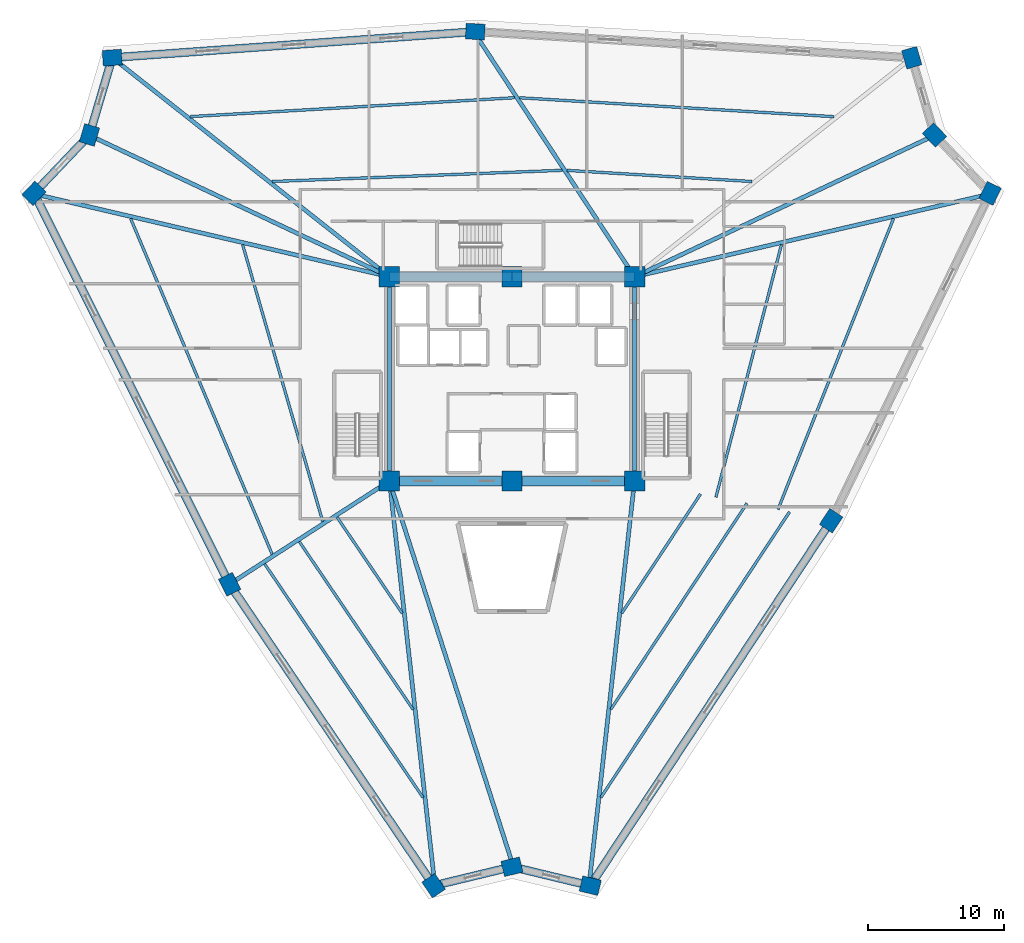
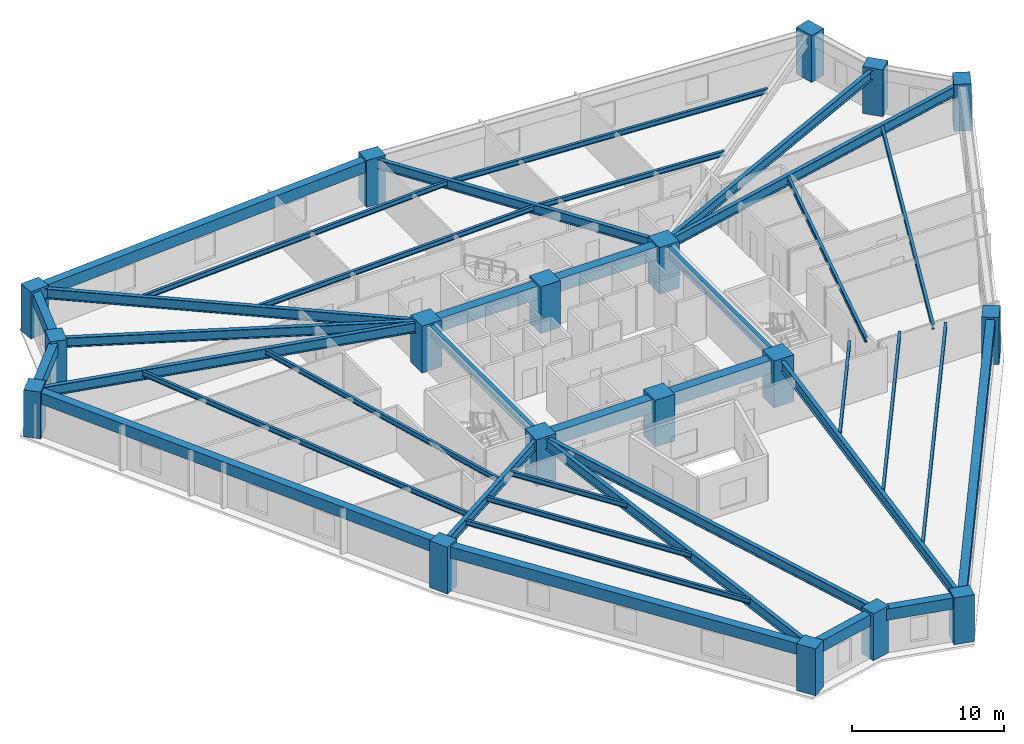
# One storey, part 1 of 8: 38 beams, 18 columns.
"""IFC4 building model written with IfcOpenShell, lengths in metres."""

from ifc_helpers import new_model, si_unit, direction, frame, origin, origin_2d, place, context, subcontext, project, spatial, rectangle, i_section, extrude, source, transform, mapped, material, material_profile, profile_set, type_object, element, save


model = new_model("IFC4")

# Units and contexts
model_context = context("Model", 3, precision=1e-05, world=origin(), true_north=direction((0.0, 1.0)))
body_context = subcontext(model_context, "Body", "Model", "MODEL_VIEW")
ifc_project = project(units=[si_unit("LENGTHUNIT", "METRE"), si_unit("AREAUNIT", "SQUARE_METRE"), si_unit("VOLUMEUNIT", "CUBIC_METRE"), si_unit("PLANEANGLEUNIT", "RADIAN"), si_unit("MASSUNIT", "GRAM", prefix="KILO")], contexts=[model_context])

# Site, building, storey
site_placement = place(None, origin())
site = spatial("IfcSite", under=ifc_project, at=site_placement, CompositionType="ELEMENT")
building_placement = place(site_placement, origin())
building = spatial("IfcBuilding", under=site, at=building_placement, Name="Liaohun Quay Tower", CompositionType="ELEMENT")
storey_placement = place(building_placement, frame((0.0, 0.0, 162.75)))
storey = spatial("IfcBuildingStorey", under=building, at=storey_placement, Name="L42", CompositionType="ELEMENT", Elevation=162.75)

# Columns
ifc_material_1 = material(Name="Concrete C60", Category="concrete")
ifc_material_profile_1 = material_profile(ifc_material_1, rectangle(XDim=1.5, YDim=1.5, at=origin_2d()), Name="RC1500x1500")
ifc_profile_set_1 = profile_set([ifc_material_profile_1], Name="Concrete C60")
column_type_1 = type_object("IfcColumnType", Name="COL-CC-Z2", PredefinedType="COLUMN", material=ifc_profile_set_1)
shared_shape_1 = source(origin(), body_context, "Body", "SweptSolid", [
    extrude(rectangle(XDim=1.5, YDim=1.5, at=origin_2d()), origin(), (0.0, 0.0, 1.0), 3.75),
])
for number, where, z_axis, x_axis, name in (
    (1, (51.0, 46.5, 0.0), (0.0, 0.0, 1.0), (1.0, 0.0, 0.0), "L42 Core Column CC1"),
    (2, (60.0, 46.5, 0.0), (0.0, 0.0, 1.0), (1.0, 0.0, 0.0), "L42 Core Column CC2"),
    (3, (69.0, 46.5, 0.0), (0.0, 0.0, 1.0), (1.0, 0.0, 0.0), "L42 Core Column CC3"),
    (4, (69.0, 61.5, 0.0), (0.0, 0.0, 1.0), (1.0, 0.0, 0.0), "L42 Core Column CC4"),
    (5, (60.0, 61.5, 0.0), (0.0, 0.0, 1.0), (1.0, 0.0, 0.0), "L42 Core Column CC5"),
    (6, (51.0, 61.5, 0.0), (0.0, 0.0, 1.0), (1.0, 0.0, 0.0), "L42 Core Column CC6"),
):
    element("IfcColumn", number, at=place(storey_placement, frame(where, z_axis=z_axis, x_axis=x_axis)), inside=storey, type_object=column_type_1, Name=name, PredefinedType="COLUMN", context=body_context, shape_type="MappedRepresentation", body=[
        mapped(shared_shape_1, transform((0.0, 0.0, 0.0), x_axis=(1.0, 0.0, 0.0), y_axis=(0.0, 1.0, 0.0), z_axis=(0.0, 0.0, 1.0), scale=1.0)),
    ])
ifc_material_profile_2 = material_profile(ifc_material_1, rectangle(XDim=1.39990234375, YDim=1.14990234375, at=origin_2d()), Name="RC1400x1150")
ifc_profile_set_2 = profile_set([ifc_material_profile_2], Name="Concrete C60")
column_type_2 = type_object("IfcColumnType", Name="COL-PIER-Z2", PredefinedType="COLUMN", material=ifc_profile_set_2)
shared_shape_2 = source(origin(), body_context, "Body", "SweptSolid", [
    extrude(rectangle(XDim=1.39990234375, YDim=1.14990234375, at=origin_2d()), origin(), (0.0, 0.0, 1.0), 3.75),
])
for number, where, z_axis, x_axis, name in (
    (7, (54.2451171875, 16.781982421875, 0.0), (0.0, 0.0, 1.0), (-0.560638994563, 0.828060334622, 0.0), "L42 Perimeter Pier PC01"),
    (8, (39.260009765625, 38.9130859375, 0.0), (0.0, 0.0, 1.0), (-0.447290848419, 0.89438856037, 0.0), "L42 Perimeter Pier PC02"),
    (9, (24.89501953125, 67.631103515625, 0.0), (0.0, 0.0, 1.0), (0.68936671806, 0.724412539946, 0.0), "L42 Perimeter Pier PC03"),
    (10, (28.970947265625, 71.9150390625, 0.0), (0.0, 0.0, 1.0), (0.282676303383, 0.959215360337, 0.0), "L42 Perimeter Pier PC04"),
    (11, (30.64501953125, 77.592041015625, 0.0), (0.0, 0.0, 1.0), (0.997440782931, 0.071497444333, 0.0), "L42 Perimeter Pier PC05"),
    (12, (57.304931640625, 79.5048828125, 0.0), (0.0, 0.0, 1.0), (-0.998208638344, 0.059829042574, 0.0), "L42 Perimeter Pier PC06"),
    (13, (89.35693359375, 77.5849609375, 0.0), (0.0, 0.0, 1.0), (-0.282676303383, 0.959215360337, 0.0), "L42 Perimeter Pier PC07"),
    (14, (91.029052734375, 71.9150390625, 0.0), (0.0, 0.0, 1.0), (-0.68936671806, 0.724412539946, 0.0), "L42 Perimeter Pier PC08"),
    (15, (95.110107421875, 67.6259765625, 0.0), (0.0, 0.0, 1.0), (0.436801788368, 0.899557778955, 0.0), "L42 Perimeter Pier PC09"),
    (16, (83.43603515625, 43.58203125, 0.0), (0.0, 0.0, 1.0), (0.550917789925, 0.834559517796, 0.0), "L42 Perimeter Pier PC10"),
    (17, (65.7470703125, 16.782958984375, 0.0), (0.0, 0.0, 1.0), (-0.972043021443, 0.234802820391, 0.0), "L42 Perimeter Pier PC11"),
    (18, (60.0, 18.1708984375, 0.0), (0.0, 0.0, 1.0), (0.972043021443, 0.234802820391, 0.0), "L42 Perimeter Pier PC12"),
):
    element("IfcColumn", number, at=place(storey_placement, frame(where, z_axis=z_axis, x_axis=x_axis)), inside=storey, type_object=column_type_2, Name=name, PredefinedType="COLUMN", context=body_context, shape_type="MappedRepresentation", body=[
        mapped(shared_shape_2, transform((0.0, 0.0, 0.0), x_axis=(1.0, 0.0, 0.0), y_axis=(0.0, 1.0, 0.0), z_axis=(0.0, 0.0, 1.0), scale=1.0)),
    ])

# Beams
ifc_material_profile_3 = material_profile(ifc_material_1, rectangle(XDim=0.699951171875, YDim=1.050048828125, at=origin_2d()), Name="RC700x1050")
ifc_profile_set_3 = profile_set([ifc_material_profile_3], Name="Concrete C60")
beam_type_1 = type_object("IfcBeamType", Name="BM-CPL-1", PredefinedType="LINTEL", material=ifc_profile_set_3)
shared_shape_3 = source(origin(), body_context, "Body", "SweptSolid", [
    extrude(rectangle(XDim=0.699951171875, YDim=1.050048828125, at=origin_2d()), origin(), (0.0, 0.0, 1.0), 9.0),
])
for number, where, z_axis, x_axis, name in (
    (19, (51.0, 46.5, 3.044921875), (1.0, 0.0, 0.0), (0.0, 1.0, 0.0), "L42 Core Coupling/Ring Beam CC1-CC2"),
    (20, (60.0, 46.5, 3.044921875), (1.0, 0.0, 0.0), (0.0, 1.0, 0.0), "L42 Core Coupling/Ring Beam CC2-CC3"),
    (21, (69.0, 61.5, 3.044921875), (-1.0, 0.0, 0.0), (0.0, -1.0, 0.0), "L42 Core Coupling/Ring Beam CC4-CC5"),
    (22, (60.0, 61.5, 3.044921875), (-1.0, 0.0, 0.0), (0.0, -1.0, 0.0), "L42 Core Coupling/Ring Beam CC5-CC6"),
):
    element("IfcBeam", number, at=place(storey_placement, frame(where, z_axis=z_axis, x_axis=x_axis)), inside=storey, type_object=beam_type_1, Name=name, PredefinedType="LINTEL", context=body_context, shape_type="MappedRepresentation", body=[
        mapped(shared_shape_3, transform((0.0, 0.0, 0.0), x_axis=(1.0, 0.0, 0.0), y_axis=(0.0, 1.0, 0.0), z_axis=(0.0, 0.0, 1.0), scale=1.0)),
    ])
ifc_material_2 = material(Name="Steel Q355D", Category="steel")
ifc_material_profile_4 = material_profile(ifc_material_2, i_section(OverallWidth=0.300048828125, OverallDepth=0.800048828125, WebThickness=0.013916015625, FlangeThickness=0.02587890625, at=origin_2d()), Name="HN800x300x14x26")
ifc_profile_set_4 = profile_set([ifc_material_profile_4], Name="Steel Q355D")
beam_type_2 = type_object("IfcBeamType", Name="BM-RAD-M1", PredefinedType="BEAM", material=ifc_profile_set_4)
shared_shape_4 = source(origin(), body_context, "Body", "SweptSolid", [
    extrude(i_section(OverallWidth=0.300048828125, OverallDepth=0.800048828125, WebThickness=0.013916015625, FlangeThickness=0.02587890625, at=origin_2d()), origin(), (0.0, 0.0, 1.0), 15.0),
])
for number, where, z_axis, x_axis, name in (
    (23, (69.0, 46.5, 3.169921875), (0.0, 1.0, 0.0), (-1.0, 0.0, 0.0), "L42 Core Coupling/Ring Beam CC3-CC4"),
    (24, (51.0, 61.5, 3.169921875), (0.0, -1.0, 0.0), (1.0, 0.0, 0.0), "L42 Core Coupling/Ring Beam CC6-CC1"),
):
    element("IfcBeam", number, at=place(storey_placement, frame(where, z_axis=z_axis, x_axis=x_axis)), inside=storey, type_object=beam_type_2, Name=name, PredefinedType="BEAM", context=body_context, shape_type="MappedRepresentation", body=[
        mapped(shared_shape_4, transform((0.0, 0.0, 0.0), x_axis=(1.0, 0.0, 0.0), y_axis=(0.0, 1.0, 0.0), z_axis=(0.0, 0.0, 1.0), scale=1.0)),
    ])
ifc_material_3 = material(Name="Precast concrete C55", Category="concrete")
ifc_material_profile_5 = material_profile(ifc_material_3, rectangle(XDim=0.60009765625, YDim=0.89990234375, at=origin_2d()), Name="RC600x900")
ifc_profile_set_5 = profile_set([ifc_material_profile_5], Name="Precast concrete C55")
beam_type_3 = type_object("IfcBeamType", Name="BM-SPD-Z2", PredefinedType="SPANDREL", material=ifc_profile_set_5)
shared_shape_5 = source(origin(), body_context, "Body", "SweptSolid", [
    extrude(rectangle(XDim=0.60009765625, YDim=0.89990234375, at=origin_2d()), origin(), (0.0, 0.0, 1.0), 26.72705078125),
])
beam_1_placement = place(storey_placement, frame((54.2451171875, 16.781982421875, 3.1201171875), z_axis=(-0.560670392658, 0.828039075646, 0.0), x_axis=(-0.828039075646, -0.560670392658, 0.0)))
element("IfcBeam", 25, at=beam_1_placement, inside=storey, type_object=beam_type_3, Name="L42 Precast Spandrel Beam PC01-PC02", PredefinedType="SPANDREL", context=body_context, shape_type="MappedRepresentation", body=[
    mapped(shared_shape_5, transform((0.0, 0.0, 0.0), x_axis=(1.0, 0.0, 0.0), y_axis=(0.0, 1.0, 0.0), z_axis=(0.0, 0.0, 1.0), scale=1.0)),
])
shared_shape_6 = source(origin(), body_context, "Body", "SweptSolid", [
    extrude(rectangle(XDim=0.60009765625, YDim=0.89990234375, at=origin_2d()), origin(), (0.0, 0.0, 1.0), 32.1103515625),
])
beam_2_placement = place(storey_placement, frame((39.260009765625, 38.9130859375, 3.1201171875), z_axis=(-0.447362611322, 0.894352667571, 0.0), x_axis=(-0.894352667571, -0.447362611322, 0.0)))
element("IfcBeam", 26, at=beam_2_placement, inside=storey, type_object=beam_type_3, Name="L42 Precast Spandrel Beam PC02-PC03", PredefinedType="SPANDREL", context=body_context, shape_type="MappedRepresentation", body=[
    mapped(shared_shape_6, transform((0.0, 0.0, 0.0), x_axis=(1.0, 0.0, 0.0), y_axis=(0.0, 1.0, 0.0), z_axis=(0.0, 0.0, 1.0), scale=1.0)),
])
shared_shape_7 = source(origin(), body_context, "Body", "SweptSolid", [
    extrude(rectangle(XDim=0.60009765625, YDim=0.89990234375, at=origin_2d()), origin(), (0.0, 0.0, 1.0), 5.9130859375),
])
beam_3_placement = place(storey_placement, frame((24.89501953125, 67.631103515625, 3.1201171875), z_axis=(0.689299405593, 0.724476589994, 0.0), x_axis=(-0.724476589994, 0.689299405593, 0.0)))
element("IfcBeam", 27, at=beam_3_placement, inside=storey, type_object=beam_type_3, Name="L42 Precast Spandrel Beam PC03-PC04", PredefinedType="SPANDREL", context=body_context, shape_type="MappedRepresentation", body=[
    mapped(shared_shape_7, transform((0.0, 0.0, 0.0), x_axis=(1.0, 0.0, 0.0), y_axis=(0.0, 1.0, 0.0), z_axis=(0.0, 0.0, 1.0), scale=1.0)),
])
shared_shape_8 = source(origin(), body_context, "Body", "SweptSolid", [
    extrude(rectangle(XDim=0.60009765625, YDim=0.89990234375, at=origin_2d()), origin(), (0.0, 0.0, 1.0), 5.918701171875),
])
beam_4_placement = place(storey_placement, frame((28.970947265625, 71.9150390625, 3.1201171875), z_axis=(0.28284515591, 0.959165584129, 0.0), x_axis=(-0.959165584129, 0.28284515591, 0.0)))
element("IfcBeam", 28, at=beam_4_placement, inside=storey, type_object=beam_type_3, Name="L42 Precast Spandrel Beam PC04-PC05", PredefinedType="SPANDREL", context=body_context, shape_type="MappedRepresentation", body=[
    mapped(shared_shape_8, transform((0.0, 0.0, 0.0), x_axis=(1.0, 0.0, 0.0), y_axis=(0.0, 1.0, 0.0), z_axis=(0.0, 0.0, 1.0), scale=1.0)),
])
shared_shape_9 = source(origin(), body_context, "Body", "SweptSolid", [
    extrude(rectangle(XDim=0.60009765625, YDim=0.89990234375, at=origin_2d()), origin(), (0.0, 0.0, 1.0), 26.728515625),
])
beam_5_placement = place(storey_placement, frame((30.64501953125, 77.592041015625, 3.1201171875), z_axis=(0.997435883179, 0.071565766579, 0.0), x_axis=(-0.071565766579, 0.997435883179, 0.0)))
element("IfcBeam", 29, at=beam_5_placement, inside=storey, type_object=beam_type_3, Name="L42 Precast Spandrel Beam PC05-PC06", PredefinedType="SPANDREL", context=body_context, shape_type="MappedRepresentation", body=[
    mapped(shared_shape_9, transform((0.0, 0.0, 0.0), x_axis=(1.0, 0.0, 0.0), y_axis=(0.0, 1.0, 0.0), z_axis=(0.0, 0.0, 1.0), scale=1.0)),
])
shared_shape_10 = source(origin(), body_context, "Body", "SweptSolid", [
    extrude(rectangle(XDim=0.60009765625, YDim=0.89990234375, at=origin_2d()), origin(), (0.0, 0.0, 1.0), 32.110595703125),
])
beam_6_placement = place(storey_placement, frame((83.43603515625, 43.58203125, 3.1201171875), z_axis=(-0.550876420846, -0.834586825295, 0.0), x_axis=(0.834586825295, -0.550876420846, 0.0)))
element("IfcBeam", 30, at=beam_6_placement, inside=storey, type_object=beam_type_3, Name="L42 Precast Spandrel Beam PC10-PC11", PredefinedType="SPANDREL", context=body_context, shape_type="MappedRepresentation", body=[
    mapped(shared_shape_10, transform((0.0, 0.0, 0.0), x_axis=(1.0, 0.0, 0.0), y_axis=(0.0, 1.0, 0.0), z_axis=(0.0, 0.0, 1.0), scale=1.0)),
])
shared_shape_11 = source(origin(), body_context, "Body", "SweptSolid", [
    extrude(rectangle(XDim=0.60009765625, YDim=0.89990234375, at=origin_2d()), origin(), (0.0, 0.0, 1.0), 5.912353515625),
])
beam_7_placement = place(storey_placement, frame((65.7470703125, 16.782958984375, 3.1201171875), z_axis=(-0.972054595357, 0.234754901215, 0.0), x_axis=(-0.234754901215, -0.972054595357, 0.0)))
element("IfcBeam", 31, at=beam_7_placement, inside=storey, type_object=beam_type_3, Name="L42 Precast Spandrel Beam PC11-PC12", PredefinedType="SPANDREL", context=body_context, shape_type="MappedRepresentation", body=[
    mapped(shared_shape_11, transform((0.0, 0.0, 0.0), x_axis=(1.0, 0.0, 0.0), y_axis=(0.0, 1.0, 0.0), z_axis=(0.0, 0.0, 1.0), scale=1.0)),
])
shared_shape_12 = source(origin(), body_context, "Body", "SweptSolid", [
    extrude(rectangle(XDim=0.60009765625, YDim=0.89990234375, at=origin_2d()), origin(), (0.0, 0.0, 1.0), 5.920166015625),
])
beam_8_placement = place(storey_placement, frame((60.0, 18.1708984375, 3.1201171875), z_axis=(-0.972089668201, -0.234609626777, 0.0), x_axis=(0.234609626777, -0.972089668201, 0.0)))
element("IfcBeam", 32, at=beam_8_placement, inside=storey, type_object=beam_type_3, Name="L42 Precast Spandrel Beam PC12-PC01", PredefinedType="SPANDREL", context=body_context, shape_type="MappedRepresentation", body=[
    mapped(shared_shape_12, transform((0.0, 0.0, 0.0), x_axis=(1.0, 0.0, 0.0), y_axis=(0.0, 1.0, 0.0), z_axis=(0.0, 0.0, 1.0), scale=1.0)),
])
shared_shape_13 = source(origin(), body_context, "Body", "SweptSolid", [
    extrude(i_section(OverallWidth=0.300048828125, OverallDepth=0.800048828125, WebThickness=0.013916015625, FlangeThickness=0.02587890625, at=origin_2d()), origin(), (0.0, 0.0, 1.0), 29.562744140625),
])
beam_9_placement = place(storey_placement, frame((51.0, 46.5, 3.169921875), z_axis=(0.111628813445, -0.993749972583, 0.0), x_axis=(0.993749972583, 0.111628813445, 0.0)))
element("IfcBeam", 33, at=beam_9_placement, inside=storey, type_object=beam_type_2, Name="L42 Radial Primary Girder CC1-PC01", PredefinedType="BEAM", context=body_context, shape_type="MappedRepresentation", body=[
    mapped(shared_shape_13, transform((0.0, 0.0, 0.0), x_axis=(1.0, 0.0, 0.0), y_axis=(0.0, 1.0, 0.0), z_axis=(0.0, 0.0, 1.0), scale=1.0)),
])
ifc_material_profile_6 = material_profile(ifc_material_2, i_section(OverallWidth=0.300048828125, OverallDepth=0.75, WebThickness=0.013916015625, FlangeThickness=0.02587890625, at=origin_2d()), Name="HN750x300x14x26")
ifc_profile_set_6 = profile_set([ifc_material_profile_6], Name="Steel Q355D")
beam_type_4 = type_object("IfcBeamType", Name="BM-RAD-M2", PredefinedType="BEAM", material=ifc_profile_set_6)
shared_shape_14 = source(origin(), body_context, "Body", "SweptSolid", [
    extrude(i_section(OverallWidth=0.300048828125, OverallDepth=0.75, WebThickness=0.013916015625, FlangeThickness=0.02587890625, at=origin_2d()), origin(), (0.0, 0.0, 1.0), 13.75537109375),
])
beam_10_placement = place(storey_placement, frame((51.0, 46.5, 3.195068359375), z_axis=(-0.840396787699, -0.541971622158, 0.0), x_axis=(0.541971622158, -0.840396787699, 0.0)))
element("IfcBeam", 34, at=beam_10_placement, inside=storey, type_object=beam_type_4, Name="L42 Radial Primary Girder CC1-PC02", PredefinedType="BEAM", context=body_context, shape_type="MappedRepresentation", body=[
    mapped(shared_shape_14, transform((0.0, 0.0, 0.0), x_axis=(1.0, 0.0, 0.0), y_axis=(0.0, 1.0, 0.0), z_axis=(0.0, 0.0, 1.0), scale=1.0)),
])
shared_shape_15 = source(origin(), body_context, "Body", "SweptSolid", [
    extrude(i_section(OverallWidth=0.300048828125, OverallDepth=0.800048828125, WebThickness=0.013916015625, FlangeThickness=0.02587890625, at=origin_2d()), origin(), (0.0, 0.0, 1.0), 26.47265625),
])
beam_11_placement = place(storey_placement, frame((51.0, 61.5, 3.169921875), z_axis=(-0.973905862646, 0.226952353379, 0.0), x_axis=(-0.226952353379, -0.973905862646, 0.0)))
element("IfcBeam", 35, at=beam_11_placement, inside=storey, type_object=beam_type_2, Name="L42 Radial Primary Girder CC6-PC03", PredefinedType="BEAM", context=body_context, shape_type="MappedRepresentation", body=[
    mapped(shared_shape_15, transform((0.0, 0.0, 0.0), x_axis=(1.0, 0.0, 0.0), y_axis=(0.0, 1.0, 0.0), z_axis=(0.0, 0.0, 1.0), scale=1.0)),
])
shared_shape_16 = source(origin(), body_context, "Body", "SweptSolid", [
    extrude(i_section(OverallWidth=0.300048828125, OverallDepth=0.75, WebThickness=0.013916015625, FlangeThickness=0.02587890625, at=origin_2d()), origin(), (0.0, 0.0, 1.0), 24.041015625),
])
for number, where, z_axis, x_axis, name in (
    (36, (51.0, 61.5, 3.195068359375), (-0.904537729086, 0.426393593597, 0.0), (-0.426393593597, -0.904537729086, 0.0), "L42 Radial Primary Girder CC6-PC04"),
    (37, (69.0, 61.5, 3.195068359375), (0.904537729086, 0.426393593597, 0.0), (-0.426393593597, 0.904537729086, 0.0), "L42 Radial Primary Girder CC4-PC08"),
):
    element("IfcBeam", number, at=place(storey_placement, frame(where, z_axis=z_axis, x_axis=x_axis)), inside=storey, type_object=beam_type_4, Name=name, PredefinedType="BEAM", context=body_context, shape_type="MappedRepresentation", body=[
        mapped(shared_shape_16, transform((0.0, 0.0, 0.0), x_axis=(1.0, 0.0, 0.0), y_axis=(0.0, 1.0, 0.0), z_axis=(0.0, 0.0, 1.0), scale=1.0)),
    ])
shared_shape_17 = source(origin(), body_context, "Body", "SweptSolid", [
    extrude(i_section(OverallWidth=0.300048828125, OverallDepth=0.800048828125, WebThickness=0.013916015625, FlangeThickness=0.02587890625, at=origin_2d()), origin(), (0.0, 0.0, 1.0), 25.603271484375),
])
beam_12_placement = place(storey_placement, frame((51.0, 61.5, 3.169921875), z_axis=(-0.784542884299, 0.620074562207, 0.0), x_axis=(-0.620074562207, -0.784542884299, 0.0)))
element("IfcBeam", 38, at=beam_12_placement, inside=storey, type_object=beam_type_2, Name="L42 Radial Primary Girder CC6-PC05", PredefinedType="BEAM", context=body_context, shape_type="MappedRepresentation", body=[
    mapped(shared_shape_17, transform((0.0, 0.0, 0.0), x_axis=(1.0, 0.0, 0.0), y_axis=(0.0, 1.0, 0.0), z_axis=(0.0, 0.0, 1.0), scale=1.0)),
])
shared_shape_18 = source(origin(), body_context, "Body", "SweptSolid", [
    extrude(i_section(OverallWidth=0.300048828125, OverallDepth=0.75, WebThickness=0.013916015625, FlangeThickness=0.02587890625, at=origin_2d()), origin(), (0.0, 0.0, 1.0), 21.270751953125),
])
beam_13_placement = place(storey_placement, frame((69.0, 61.5, 3.195068359375), z_axis=(-0.548683768494, 0.83602997685, 0.0), x_axis=(-0.83602997685, -0.548683768494, 0.0)))
element("IfcBeam", 39, at=beam_13_placement, inside=storey, type_object=beam_type_4, Name="L42 Radial Primary Girder CC4-PC06", PredefinedType="BEAM", context=body_context, shape_type="MappedRepresentation", body=[
    mapped(shared_shape_18, transform((0.0, 0.0, 0.0), x_axis=(1.0, 0.0, 0.0), y_axis=(0.0, 1.0, 0.0), z_axis=(0.0, 0.0, 1.0), scale=1.0)),
])
shared_shape_19 = source(origin(), body_context, "Body", "SweptSolid", [
    extrude(i_section(OverallWidth=0.300048828125, OverallDepth=0.800048828125, WebThickness=0.013916015625, FlangeThickness=0.02587890625, at=origin_2d()), origin(), (0.0, 0.0, 1.0), 26.4765625),
])
beam_14_placement = place(storey_placement, frame((69.0, 61.5, 3.169921875), z_axis=(0.973958610752, 0.226725879735, 0.0), x_axis=(-0.226725879735, 0.973958610752, 0.0)))
element("IfcBeam", 40, at=beam_14_placement, inside=storey, type_object=beam_type_2, Name="L42 Radial Primary Girder CC4-PC09", PredefinedType="BEAM", context=body_context, shape_type="MappedRepresentation", body=[
    mapped(shared_shape_19, transform((0.0, 0.0, 0.0), x_axis=(1.0, 0.0, 0.0), y_axis=(0.0, 1.0, 0.0), z_axis=(0.0, 0.0, 1.0), scale=1.0)),
])
shared_shape_20 = source(origin(), body_context, "Body", "SweptSolid", [
    extrude(i_section(OverallWidth=0.300048828125, OverallDepth=0.800048828125, WebThickness=0.013916015625, FlangeThickness=0.02587890625, at=origin_2d()), origin(), (0.0, 0.0, 1.0), 29.5625),
])
beam_15_placement = place(storey_placement, frame((69.0, 46.5, 3.169921875), z_axis=(-0.111860830301, -0.993723882497, 0.0), x_axis=(0.993723882497, -0.111860830301, 0.0)))
element("IfcBeam", 41, at=beam_15_placement, inside=storey, type_object=beam_type_2, Name="L42 Radial Primary Girder CC3-PC11", PredefinedType="BEAM", context=body_context, shape_type="MappedRepresentation", body=[
    mapped(shared_shape_20, transform((0.0, 0.0, 0.0), x_axis=(1.0, 0.0, 0.0), y_axis=(0.0, 1.0, 0.0), z_axis=(0.0, 0.0, 1.0), scale=1.0)),
])
shared_shape_21 = source(origin(), body_context, "Body", "SweptSolid", [
    extrude(i_section(OverallWidth=0.300048828125, OverallDepth=0.75, WebThickness=0.013916015625, FlangeThickness=0.02587890625, at=origin_2d()), origin(), (0.0, 0.0, 1.0), 29.412841796875),
])
beam_16_placement = place(storey_placement, frame((51.0, 46.5, 3.195068359375), z_axis=(0.305989834894, -0.952034779271, 0.0), x_axis=(0.952034779271, 0.305989834894, 0.0)))
element("IfcBeam", 42, at=beam_16_placement, inside=storey, type_object=beam_type_4, Name="L42 Radial Primary Girder CC1-PC12", PredefinedType="BEAM", context=body_context, shape_type="MappedRepresentation", body=[
    mapped(shared_shape_21, transform((0.0, 0.0, 0.0), x_axis=(1.0, 0.0, 0.0), y_axis=(0.0, 1.0, 0.0), z_axis=(0.0, 0.0, 1.0), scale=1.0)),
])
ifc_material_profile_7 = material_profile(ifc_material_2, i_section(OverallWidth=0.199951171875, OverallDepth=0.39990234375, WebThickness=0.008056640625, FlangeThickness=0.012939453125, at=origin_2d()), Name="HN400x200x8x13")
ifc_profile_set_7 = profile_set([ifc_material_profile_7], Name="Steel Q355D")
beam_type_5 = type_object("IfcBeamType", Name="BM-SEC-J2", PredefinedType="JOIST", material=ifc_profile_set_7)
shared_shape_22 = source(origin(), body_context, "Body", "SweptSolid", [
    extrude(i_section(OverallWidth=0.199951171875, OverallDepth=0.39990234375, WebThickness=0.008056640625, FlangeThickness=0.012939453125, at=origin_2d()), origin(), (0.0, 0.0, 1.0), 8.5322265625),
])
beam_17_placement = place(storey_placement, frame((51.94091796875, 36.778076171875, 3.3701171875), z_axis=(-0.561029712633, 0.827795664124, 0.0), x_axis=(-0.827795664124, -0.561029712633, 0.0)))
element("IfcBeam", 43, at=beam_17_placement, inside=storey, type_object=beam_type_5, Name="L42 Wing Secondary Floor Joist SJ-01", PredefinedType="JOIST", context=body_context, shape_type="MappedRepresentation", body=[
    mapped(shared_shape_22, transform((0.0, 0.0, 0.0), x_axis=(1.0, 0.0, 0.0), y_axis=(0.0, 1.0, 0.0), z_axis=(0.0, 0.0, 1.0), scale=1.0)),
])
shared_shape_23 = source(origin(), body_context, "Body", "SweptSolid", [
    extrude(i_section(OverallWidth=0.199951171875, OverallDepth=0.39990234375, WebThickness=0.008056640625, FlangeThickness=0.012939453125, at=origin_2d()), origin(), (0.0, 0.0, 1.0), 14.888671875),
])
beam_18_placement = place(storey_placement, frame((52.73291015625, 29.72802734375, 3.3701171875), z_axis=(-0.56110156038, 0.827746965527, 0.0), x_axis=(-0.827746965527, -0.56110156038, 0.0)))
element("IfcBeam", 44, at=beam_18_placement, inside=storey, type_object=beam_type_5, Name="L42 Wing Secondary Floor Joist SJ-02", PredefinedType="JOIST", context=body_context, shape_type="MappedRepresentation", body=[
    mapped(shared_shape_23, transform((0.0, 0.0, 0.0), x_axis=(1.0, 0.0, 0.0), y_axis=(0.0, 1.0, 0.0), z_axis=(0.0, 0.0, 1.0), scale=1.0)),
])
shared_shape_24 = source(origin(), body_context, "Body", "SweptSolid", [
    extrude(i_section(OverallWidth=0.199951171875, OverallDepth=0.39990234375, WebThickness=0.008056640625, FlangeThickness=0.012939453125, at=origin_2d()), origin(), (0.0, 0.0, 1.0), 20.71533203125),
])
beam_19_placement = place(storey_placement, frame((53.458984375, 23.264892578125, 3.3701171875), z_axis=(-0.561086043674, 0.827757483563, 0.0), x_axis=(-0.827757483563, -0.561086043674, 0.0)))
element("IfcBeam", 45, at=beam_19_placement, inside=storey, type_object=beam_type_5, Name="L42 Wing Secondary Floor Joist SJ-03", PredefinedType="JOIST", context=body_context, shape_type="MappedRepresentation", body=[
    mapped(shared_shape_24, transform((0.0, 0.0, 0.0), x_axis=(1.0, 0.0, 0.0), y_axis=(0.0, 1.0, 0.0), z_axis=(0.0, 0.0, 1.0), scale=1.0)),
])
shared_shape_25 = source(origin(), body_context, "Body", "SweptSolid", [
    extrude(i_section(OverallWidth=0.199951171875, OverallDepth=0.39990234375, WebThickness=0.008056640625, FlangeThickness=0.012939453125, at=origin_2d()), origin(), (0.0, 0.0, 1.0), 21.17236328125),
])
beam_20_placement = place(storey_placement, frame((46.10107421875, 43.51904296875, 3.3701171875), z_axis=(-0.277818957715, 0.960633450768, 0.0), x_axis=(-0.960633450768, -0.277818957715, 0.0)))
element("IfcBeam", 46, at=beam_20_placement, inside=storey, type_object=beam_type_5, Name="L42 Wing Secondary Floor Joist SJ-04", PredefinedType="JOIST", context=body_context, shape_type="MappedRepresentation", body=[
    mapped(shared_shape_25, transform((0.0, 0.0, 0.0), x_axis=(1.0, 0.0, 0.0), y_axis=(0.0, 1.0, 0.0), z_axis=(0.0, 0.0, 1.0), scale=1.0)),
])
shared_shape_26 = source(origin(), body_context, "Body", "SweptSolid", [
    extrude(i_section(OverallWidth=0.199951171875, OverallDepth=0.39990234375, WebThickness=0.008056640625, FlangeThickness=0.012939453125, at=origin_2d()), origin(), (0.0, 0.0, 1.0), 26.752197265625),
])
beam_21_placement = place(storey_placement, frame((42.385986328125, 41.1240234375, 3.3701171875), z_axis=(-0.388493501062, 0.921451463525, 0.0), x_axis=(-0.921451463525, -0.388493501062, 0.0)))
element("IfcBeam", 47, at=beam_21_placement, inside=storey, type_object=beam_type_5, Name="L42 Wing Secondary Floor Joist SJ-05", PredefinedType="JOIST", context=body_context, shape_type="MappedRepresentation", body=[
    mapped(shared_shape_26, transform((0.0, 0.0, 0.0), x_axis=(1.0, 0.0, 0.0), y_axis=(0.0, 1.0, 0.0), z_axis=(0.0, 0.0, 1.0), scale=1.0)),
])
shared_shape_27 = source(origin(), body_context, "Body", "SweptSolid", [
    extrude(i_section(OverallWidth=0.199951171875, OverallDepth=0.39990234375, WebThickness=0.008056640625, FlangeThickness=0.012939453125, at=origin_2d()), origin(), (0.0, 0.0, 1.0), 21.313720703125),
])
beam_22_placement = place(storey_placement, frame((42.39208984375, 68.493896484375, 3.3701171875), z_axis=(0.9992520098, 0.038670672487, 0.0), x_axis=(-0.038670672487, 0.9992520098, 0.0)))
element("IfcBeam", 48, at=beam_22_placement, inside=storey, type_object=beam_type_5, Name="L42 Wing Secondary Floor Joist SJ-06", PredefinedType="JOIST", context=body_context, shape_type="MappedRepresentation", body=[
    mapped(shared_shape_27, transform((0.0, 0.0, 0.0), x_axis=(1.0, 0.0, 0.0), y_axis=(0.0, 1.0, 0.0), z_axis=(0.0, 0.0, 1.0), scale=1.0)),
])
shared_shape_28 = source(origin(), body_context, "Body", "SweptSolid", [
    extrude(i_section(OverallWidth=0.199951171875, OverallDepth=0.39990234375, WebThickness=0.008056640625, FlangeThickness=0.012939453125, at=origin_2d()), origin(), (0.0, 0.0, 1.0), 23.8701171875),
])
beam_23_placement = place(storey_placement, frame((36.361083984375, 73.260986328125, 3.3701171875), z_axis=(0.998308134742, 0.058145232883, 0.0), x_axis=(-0.058145232883, 0.998308134742, 0.0)))
element("IfcBeam", 49, at=beam_23_placement, inside=storey, type_object=beam_type_5, Name="L42 Wing Secondary Floor Joist SJ-07", PredefinedType="JOIST", context=body_context, shape_type="MappedRepresentation", body=[
    mapped(shared_shape_28, transform((0.0, 0.0, 0.0), x_axis=(1.0, 0.0, 0.0), y_axis=(0.0, 1.0, 0.0), z_axis=(0.0, 0.0, 1.0), scale=1.0)),
])
shared_shape_29 = source(origin(), body_context, "Body", "SweptSolid", [
    extrude(i_section(OverallWidth=0.199951171875, OverallDepth=0.39990234375, WebThickness=0.008056640625, FlangeThickness=0.012939453125, at=origin_2d()), origin(), (0.0, 0.0, 1.0), 13.586669921875),
])
beam_24_placement = place(storey_placement, frame((64.052001953125, 69.31298828125, 3.3701171875), z_axis=(0.998186536267, -0.060196667804, 0.0), x_axis=(0.060196667804, 0.998186536267, 0.0)))
element("IfcBeam", 50, at=beam_24_placement, inside=storey, type_object=beam_type_5, Name="L42 Wing Secondary Floor Joist SJ-08", PredefinedType="JOIST", context=body_context, shape_type="MappedRepresentation", body=[
    mapped(shared_shape_29, transform((0.0, 0.0, 0.0), x_axis=(1.0, 0.0, 0.0), y_axis=(0.0, 1.0, 0.0), z_axis=(0.0, 0.0, 1.0), scale=1.0)),
])
shared_shape_30 = source(origin(), body_context, "Body", "SweptSolid", [
    extrude(i_section(OverallWidth=0.199951171875, OverallDepth=0.39990234375, WebThickness=0.008056640625, FlangeThickness=0.012939453125, at=origin_2d()), origin(), (0.0, 0.0, 1.0), 23.133056640625),
])
beam_25_placement = place(storey_placement, frame((60.550048828125, 74.64794921875, 3.3701171875), z_axis=(0.998188314423, -0.06016717502, 0.0), x_axis=(0.06016717502, 0.998188314423, 0.0)))
element("IfcBeam", 51, at=beam_25_placement, inside=storey, type_object=beam_type_5, Name="L42 Wing Secondary Floor Joist SJ-09", PredefinedType="JOIST", context=body_context, shape_type="MappedRepresentation", body=[
    mapped(shared_shape_30, transform((0.0, 0.0, 0.0), x_axis=(1.0, 0.0, 0.0), y_axis=(0.0, 1.0, 0.0), z_axis=(0.0, 0.0, 1.0), scale=1.0)),
])
shared_shape_31 = source(origin(), body_context, "Body", "SweptSolid", [
    extrude(i_section(OverallWidth=0.199951171875, OverallDepth=0.39990234375, WebThickness=0.008056640625, FlangeThickness=0.012939453125, at=origin_2d()), origin(), (0.0, 0.0, 1.0), 19.158935546875),
])
beam_26_placement = place(storey_placement, frame((79.7880859375, 63.85693359375, 3.3701171875), z_axis=(-0.25111340095, -0.967957674624, 0.0), x_axis=(0.967957674624, -0.25111340095, 0.0)))
element("IfcBeam", 52, at=beam_26_placement, inside=storey, type_object=beam_type_5, Name="L42 Wing Secondary Floor Joist SJ-10", PredefinedType="JOIST", context=body_context, shape_type="MappedRepresentation", body=[
    mapped(shared_shape_31, transform((0.0, 0.0, 0.0), x_axis=(1.0, 0.0, 0.0), y_axis=(0.0, 1.0, 0.0), z_axis=(0.0, 0.0, 1.0), scale=1.0)),
])
shared_shape_32 = source(origin(), body_context, "Body", "SweptSolid", [
    extrude(i_section(OverallWidth=0.199951171875, OverallDepth=0.39990234375, WebThickness=0.008056640625, FlangeThickness=0.012939453125, at=origin_2d()), origin(), (0.0, 0.0, 1.0), 22.98828125),
])
beam_27_placement = place(storey_placement, frame((88.014892578125, 65.77294921875, 3.3701171875), z_axis=(-0.369009068734, -0.929425794344, 0.0), x_axis=(0.929425794344, -0.369009068734, 0.0)))
element("IfcBeam", 53, at=beam_27_placement, inside=storey, type_object=beam_type_5, Name="L42 Wing Secondary Floor Joist SJ-11", PredefinedType="JOIST", context=body_context, shape_type="MappedRepresentation", body=[
    mapped(shared_shape_32, transform((0.0, 0.0, 0.0), x_axis=(1.0, 0.0, 0.0), y_axis=(0.0, 1.0, 0.0), z_axis=(0.0, 0.0, 1.0), scale=1.0)),
])
shared_shape_33 = source(origin(), body_context, "Body", "SweptSolid", [
    extrude(i_section(OverallWidth=0.199951171875, OverallDepth=0.39990234375, WebThickness=0.008056640625, FlangeThickness=0.012939453125, at=origin_2d()), origin(), (0.0, 0.0, 1.0), 10.488037109375),
])
beam_28_placement = place(storey_placement, frame((73.839111328125, 45.5380859375, 3.3701171875), z_axis=(-0.551198234726, -0.834374320095, 0.0), x_axis=(0.834374320095, -0.551198234726, 0.0)))
element("IfcBeam", 54, at=beam_28_placement, inside=storey, type_object=beam_type_5, Name="L42 Wing Secondary Floor Joist SJ-12", PredefinedType="JOIST", context=body_context, shape_type="MappedRepresentation", body=[
    mapped(shared_shape_33, transform((0.0, 0.0, 0.0), x_axis=(1.0, 0.0, 0.0), y_axis=(0.0, 1.0, 0.0), z_axis=(0.0, 0.0, 1.0), scale=1.0)),
])
shared_shape_34 = source(origin(), body_context, "Body", "SweptSolid", [
    extrude(i_section(OverallWidth=0.199951171875, OverallDepth=0.39990234375, WebThickness=0.008056640625, FlangeThickness=0.012939453125, at=origin_2d()), origin(), (0.0, 0.0, 1.0), 18.125244140625),
])
beam_29_placement = place(storey_placement, frame((77.2548828125, 44.860107421875, 3.3701171875), z_axis=(-0.551217080195, -0.834361870234, 0.0), x_axis=(0.834361870234, -0.551217080195, 0.0)))
element("IfcBeam", 55, at=beam_29_placement, inside=storey, type_object=beam_type_5, Name="L42 Wing Secondary Floor Joist SJ-13", PredefinedType="JOIST", context=body_context, shape_type="MappedRepresentation", body=[
    mapped(shared_shape_34, transform((0.0, 0.0, 0.0), x_axis=(1.0, 0.0, 0.0), y_axis=(0.0, 1.0, 0.0), z_axis=(0.0, 0.0, 1.0), scale=1.0)),
])
shared_shape_35 = source(origin(), body_context, "Body", "SweptSolid", [
    extrude(i_section(OverallWidth=0.199951171875, OverallDepth=0.39990234375, WebThickness=0.008056640625, FlangeThickness=0.012939453125, at=origin_2d()), origin(), (0.0, 0.0, 1.0), 25.1259765625),
])
beam_30_placement = place(storey_placement, frame((80.385986328125, 44.238037109375, 3.3701171875), z_axis=(-0.551224291021, -0.834357106393, 0.0), x_axis=(0.834357106393, -0.551224291021, 0.0)))
element("IfcBeam", 56, at=beam_30_placement, inside=storey, type_object=beam_type_5, Name="L42 Wing Secondary Floor Joist SJ-14", PredefinedType="JOIST", context=body_context, shape_type="MappedRepresentation", body=[
    mapped(shared_shape_35, transform((0.0, 0.0, 0.0), x_axis=(1.0, 0.0, 0.0), y_axis=(0.0, 1.0, 0.0), z_axis=(0.0, 0.0, 1.0), scale=1.0)),
])

save(model, "model.ifc")
